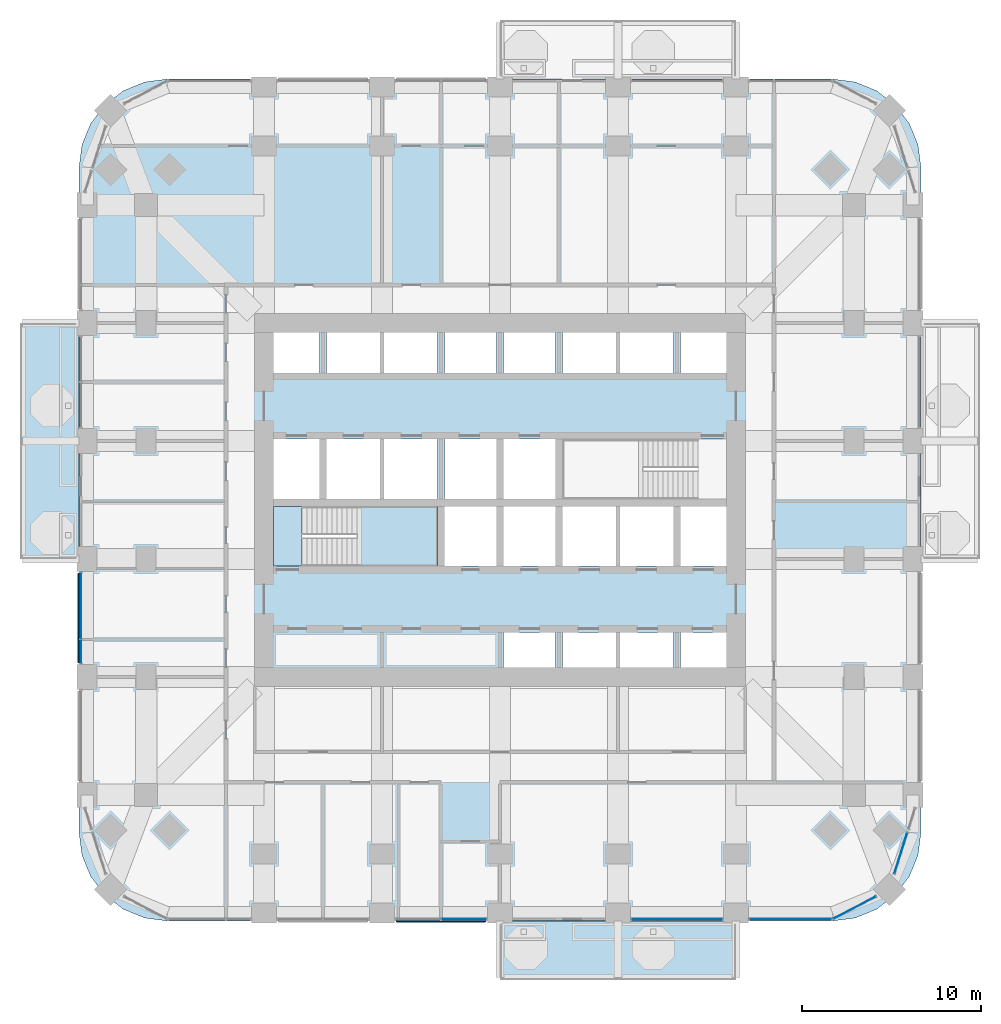
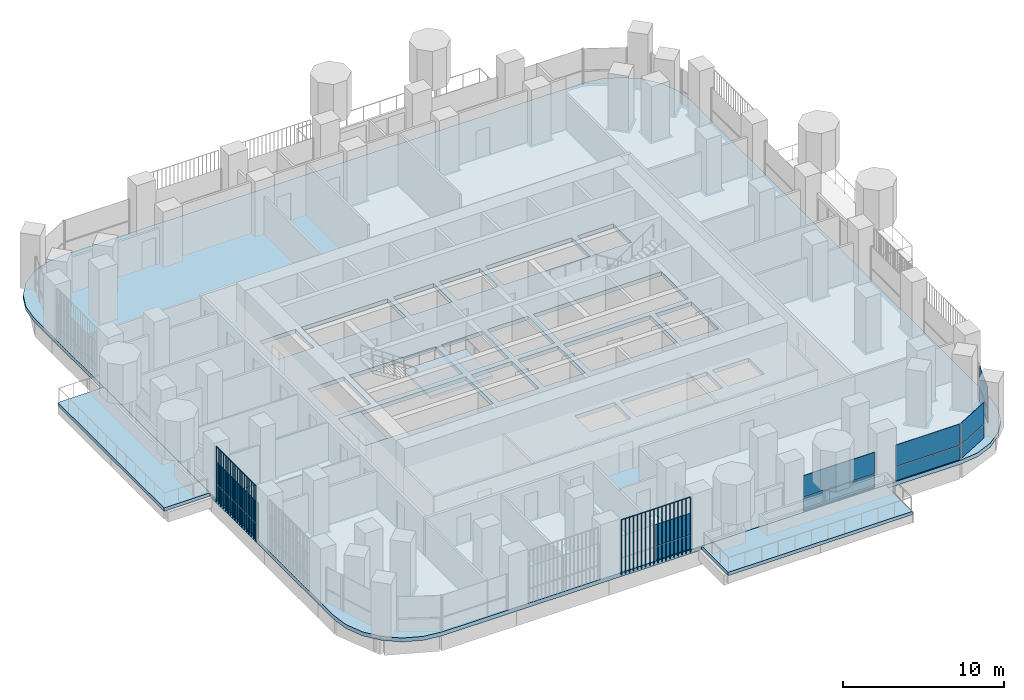
# One storey, part 10 of 22: 16 plates, 5 slabs, 7 elements without a shape of their own.
"""IFC4 building model written with IfcOpenShell, lengths in metres."""

from ifc_helpers import new_model, si_unit, direction, frame, origin, origin_2d, place, context, subcontext, project, spatial, polyline, rectangle, outline, extrude, material, layer, layer_set, type_object, element, aggregate, save


model = new_model("IFC4")

# Units and contexts
model_context = context("Model", 3, precision=1e-05, world=origin(), true_north=direction((0.0, 1.0)))
body_context = subcontext(model_context, "Body", "Model", "MODEL_VIEW")
ifc_project = project(units=[si_unit("LENGTHUNIT", "METRE"), si_unit("AREAUNIT", "SQUARE_METRE"), si_unit("VOLUMEUNIT", "CUBIC_METRE"), si_unit("PLANEANGLEUNIT", "RADIAN"), si_unit("MASSUNIT", "GRAM", prefix="KILO")], contexts=[model_context])

# Site, building, storey
site_placement = place(None, origin())
site = spatial("IfcSite", under=ifc_project, at=site_placement, CompositionType="ELEMENT")
building_placement = place(site_placement, origin())
building = spatial("IfcBuilding", under=site, at=building_placement, Name="Cobogo Forest Laboratory Tower", CompositionType="ELEMENT")
storey_placement = place(building_placement, frame((0.0, 0.0, 111.60009765625)))
storey = spatial("IfcBuildingStorey", under=building, at=storey_placement, Name="L25", CompositionType="ELEMENT", Elevation=111.60009765625)

# Slabs
ifc_material_1 = material(Name="Concrete HA-40 (C40/50)", Category="concrete")
ifc_layer_1 = layer(ifc_material_1, 0.25)
ifc_layer_set_1 = layer_set([ifc_layer_1], Name="Balcony slab 250")
slab_type_1 = type_object("IfcSlabType", Name="Balcony slab 250", PredefinedType="FLOOR", material=ifc_layer_set_1)
slab_1_placement = place(storey_placement, frame((0.0, 0.0, -0.25)))
element("IfcSlab", 1, at=slab_1_placement, inside=storey, type_object=slab_type_1, Name="Balcony BAL-S1 L25", PredefinedType="FLOOR", context=body_context, shape_type="SweptSolid", body=[
    extrude(outline(polyline([(26.39990234375, -3.75), (39.60009765625, -3.75), (39.60009765625, -0.449951171875), (26.39990234375, -0.449951171875), (26.39990234375, -3.75)])), origin(), (0.0, 0.0, 1.0), 0.25),
])
slab_2_placement = place(storey_placement, frame((0.0, 0.0, -0.25)))
element("IfcSlab", 2, at=slab_2_placement, inside=storey, type_object=slab_type_1, Name="Balcony BAL-W1 L25", PredefinedType="FLOOR", context=body_context, shape_type="SweptSolid", body=[
    extrude(outline(polyline([(-0.449951171875, 19.800048828125), (2.85009765625, 19.800048828125), (2.85009765625, 33.0), (-0.449951171875, 33.0), (-0.449951171875, 19.800048828125)])), origin(), (0.0, 0.0, 1.0), 0.25),
])
ifc_layer_2 = layer(ifc_material_1, 0.300048828125)
ifc_layer_set_2 = layer_set([ifc_layer_2], Name="Floor slab 300")
slab_type_2 = type_object("IfcSlabType", Name="Floor slab 300", PredefinedType="FLOOR", material=ifc_layer_set_2)
slab_3_placement = place(storey_placement, frame((0.0, 0.0, -0.300048828125)))
element("IfcSlab", 3, at=slab_3_placement, inside=storey, type_object=slab_type_2, Name="L25 floor slab", PredefinedType="FLOOR", context=body_context, shape_type="SweptSolid", body=[
    extrude(outline(polyline([(45.0, -0.449951171875), (46.28125, -0.28125), (47.47509765625, 0.213134765625), (48.500244140625, 0.999755859375), (49.286865234375, 2.02490234375), (49.78125, 3.21875), (49.949951171875, 4.5), (49.949951171875, 41.699951171875), (49.78125, 42.981201171875), (49.286865234375, 44.175048828125), (48.500244140625, 45.2001953125), (47.47509765625, 45.98681640625), (46.28125, 46.4814453125), (45.0, 46.64990234375), (7.800048828125, 46.64990234375), (6.518798828125, 46.4814453125), (5.324951171875, 45.98681640625), (4.2998046875, 45.2001953125), (3.51318359375, 44.175048828125), (3.0185546875, 42.981201171875), (2.85009765625, 41.699951171875), (2.85009765625, 4.5), (3.0185546875, 3.21875), (3.51318359375, 2.02490234375), (4.2998046875, 0.999755859375), (5.324951171875, 0.213134765625), (6.518798828125, -0.28125), (7.800048828125, -0.449951171875), (45.0, -0.449951171875)]), holes=[polyline([(29.5, 13.72509765625), (26.60009765625, 13.72509765625), (26.60009765625, 15.699951171875), (29.5, 15.699951171875), (29.5, 13.72509765625)]), polyline([(36.10009765625, 15.699951171875), (36.10009765625, 13.72509765625), (29.89990234375, 13.72509765625), (29.89990234375, 15.699951171875), (36.10009765625, 15.699951171875)]), polyline([(36.5, 13.72509765625), (36.5, 15.699951171875), (39.074951171875, 15.699951171875), (39.074951171875, 13.72509765625), (36.5, 13.72509765625)]), polyline([(13.72509765625, 19.39990234375), (13.72509765625, 22.75), (22.89990234375, 22.75), (22.89990234375, 19.39990234375), (13.72509765625, 19.39990234375)]), polyline([(23.300048828125, 19.39990234375), (23.300048828125, 22.75), (26.199951171875, 22.75), (26.199951171875, 19.39990234375), (23.300048828125, 19.39990234375)]), polyline([(29.5, 19.39990234375), (26.60009765625, 19.39990234375), (26.60009765625, 22.75), (29.5, 22.75), (29.5, 19.39990234375)]), polyline([(36.10009765625, 22.75), (36.10009765625, 19.39990234375), (29.89990234375, 19.39990234375), (29.89990234375, 22.75), (36.10009765625, 22.75)]), polyline([(39.074951171875, 19.39990234375), (36.5, 19.39990234375), (36.5, 22.75), (39.074951171875, 22.75), (39.074951171875, 19.39990234375)]), polyline([(16.300048828125, 23.14990234375), (13.72509765625, 23.14990234375), (13.72509765625, 26.5), (16.300048828125, 26.5), (16.300048828125, 23.14990234375)]), polyline([(22.89990234375, 26.5), (22.89990234375, 23.14990234375), (16.699951171875, 23.14990234375), (16.699951171875, 26.5), (22.89990234375, 26.5)]), polyline([(26.199951171875, 23.14990234375), (23.300048828125, 23.14990234375), (23.300048828125, 26.5), (26.199951171875, 26.5), (26.199951171875, 23.14990234375)]), polyline([(26.60009765625, 23.14990234375), (26.60009765625, 26.5), (29.5, 26.5), (29.5, 23.14990234375), (26.60009765625, 23.14990234375)]), polyline([(29.89990234375, 23.14990234375), (29.89990234375, 26.5), (39.074951171875, 26.5), (39.074951171875, 23.14990234375), (29.89990234375, 23.14990234375)]), polyline([(13.72509765625, 30.199951171875), (13.72509765625, 32.47509765625), (16.300048828125, 32.47509765625), (16.300048828125, 30.199951171875), (13.72509765625, 30.199951171875)]), polyline([(22.89990234375, 32.47509765625), (22.89990234375, 30.199951171875), (16.699951171875, 30.199951171875), (16.699951171875, 32.47509765625), (22.89990234375, 32.47509765625)]), polyline([(23.300048828125, 30.199951171875), (23.300048828125, 32.47509765625), (26.199951171875, 32.47509765625), (26.199951171875, 30.199951171875), (23.300048828125, 30.199951171875)]), polyline([(26.60009765625, 30.199951171875), (26.60009765625, 32.47509765625), (29.5, 32.47509765625), (29.5, 30.199951171875), (26.60009765625, 30.199951171875)]), polyline([(36.10009765625, 32.47509765625), (36.10009765625, 30.199951171875), (29.89990234375, 30.199951171875), (29.89990234375, 32.47509765625), (36.10009765625, 32.47509765625)]), polyline([(36.5, 30.199951171875), (36.5, 32.47509765625), (39.074951171875, 32.47509765625), (39.074951171875, 30.199951171875), (36.5, 30.199951171875)])]), origin(), (0.0, 0.0, 1.0), 0.300048828125),
])

# Curtain wall, plates
ifc_material_2 = material(Name="Aluminium curtain wall", Category="aluminium")
curtain_wall_type = type_object("IfcCurtainWallType", Name="CW-1 unitised curtain wall, clear glazing, laboratory floors zones A and B", PredefinedType="USERDEFINED", material=ifc_material_2)
curtain_wall_1_placement = place(storey_placement, origin())
curtain_wall_1 = element("IfcCurtainWall", 4, at=curtain_wall_1_placement, inside=storey, type_object=curtain_wall_type, Name="Curtain wall 03 L25", ObjectType="UNITISED CURTAIN WALL", PredefinedType="USERDEFINED")
ifc_material_3 = material(Name="Clear insulated glass", Category="glass")
ifc_layer_3 = layer(ifc_material_3, 0.028076171875)
ifc_layer_set_3 = layer_set([ifc_layer_3], Name="GP-1 clear insulated glass unit 28")
plate_type_1 = type_object("IfcPlateType", Name="GP-1 clear insulated glass unit 28", PredefinedType="CURTAIN_PANEL", material=ifc_layer_set_3)
plate_1_placement = place(storey_placement, frame((24.385009765625, -0.35009765625, 0.0), z_axis=(0.0, 0.0, 1.0), x_axis=(1.0, 0.0, 0.0)))
plate_1 = element("IfcPlate", 5, at=plate_1_placement, type_object=plate_type_1, Name="CW-1 panel 2.1", PredefinedType="CURTAIN_PANEL", context=body_context, shape_type="SweptSolid", body=[
    extrude(rectangle(XDim=2.510009765625, YDim=0.028076171875, at=origin_2d()), origin(), (0.0, 0.0, 1.0), 1.02001953125),
])
plate_2_placement = place(storey_placement, frame((24.385009765625, -0.35009765625, 1.079833984375), z_axis=(0.0, 0.0, 1.0), x_axis=(1.0, 0.0, 0.0)))
plate_2 = element("IfcPlate", 6, at=plate_2_placement, type_object=plate_type_1, Name="CW-1 panel 2.2", PredefinedType="CURTAIN_PANEL", context=body_context, shape_type="SweptSolid", body=[
    extrude(rectangle(XDim=2.510009765625, YDim=0.028076171875, at=origin_2d()), origin(), (0.0, 0.0, 1.0), 1.6201171875),
])
aggregate(curtain_wall_1, [plate_1, plate_2])

curtain_wall_2_placement = place(storey_placement, origin())
curtain_wall_2 = element("IfcCurtainWall", 7, at=curtain_wall_2_placement, inside=storey, type_object=curtain_wall_type, Name="Curtain wall 05 L25", ObjectType="UNITISED CURTAIN WALL", PredefinedType="USERDEFINED")
plate_3_placement = place(storey_placement, frame((36.300048828125, -0.35009765625, 0.0), z_axis=(0.0, 0.0, 1.0), x_axis=(1.0, 0.0, 0.0)))
plate_3 = element("IfcPlate", 8, at=plate_3_placement, type_object=plate_type_1, Name="CW-1 panel 1.1", PredefinedType="CURTAIN_PANEL", context=body_context, shape_type="SweptSolid", body=[
    extrude(rectangle(XDim=5.080078125, YDim=0.028076171875, at=origin_2d()), origin(), (0.0, 0.0, 1.0), 1.02001953125),
])
plate_4_placement = place(storey_placement, frame((36.300048828125, -0.35009765625, 1.079833984375), z_axis=(0.0, 0.0, 1.0), x_axis=(1.0, 0.0, 0.0)))
plate_4 = element("IfcPlate", 9, at=plate_4_placement, type_object=plate_type_1, Name="CW-1 panel 1.2", PredefinedType="CURTAIN_PANEL", context=body_context, shape_type="SweptSolid", body=[
    extrude(rectangle(XDim=5.080078125, YDim=0.028076171875, at=origin_2d()), origin(), (0.0, 0.0, 1.0), 1.6201171875),
])
aggregate(curtain_wall_2, [plate_3, plate_4])

curtain_wall_3_placement = place(storey_placement, origin())
curtain_wall_3 = element("IfcCurtainWall", 10, at=curtain_wall_3_placement, inside=storey, type_object=curtain_wall_type, Name="Curtain wall 06 L25", ObjectType="UNITISED CURTAIN WALL", PredefinedType="USERDEFINED")
plate_5_placement = place(storey_placement, frame((42.64990234375, -0.35009765625, 0.0), z_axis=(0.0, 0.0, 1.0), x_axis=(1.0, 0.0, 0.0)))
plate_5 = element("IfcPlate", 11, at=plate_5_placement, type_object=plate_type_1, Name="CW-1 panel 1.1", PredefinedType="CURTAIN_PANEL", context=body_context, shape_type="SweptSolid", body=[
    extrude(rectangle(XDim=4.580078125, YDim=0.028076171875, at=origin_2d()), origin(), (0.0, 0.0, 1.0), 1.02001953125),
])
plate_6_placement = place(storey_placement, frame((42.64990234375, -0.35009765625, 1.079833984375), z_axis=(0.0, 0.0, 1.0), x_axis=(1.0, 0.0, 0.0)))
plate_6 = element("IfcPlate", 12, at=plate_6_placement, type_object=plate_type_1, Name="CW-1 panel 1.2", PredefinedType="CURTAIN_PANEL", context=body_context, shape_type="SweptSolid", body=[
    extrude(rectangle(XDim=4.580078125, YDim=0.028076171875, at=origin_2d()), origin(), (0.0, 0.0, 1.0), 1.6201171875),
])
aggregate(curtain_wall_3, [plate_5, plate_6])

curtain_wall_4_placement = place(storey_placement, origin())
curtain_wall_4 = element("IfcCurtainWall", 13, at=curtain_wall_4_placement, inside=storey, type_object=curtain_wall_type, Name="Curtain wall 07 L25", ObjectType="UNITISED CURTAIN WALL", PredefinedType="USERDEFINED")
plate_7_placement = place(storey_placement, frame((46.229248046875, 0.29443359375, 0.0), z_axis=(0.0, 0.0, 1.0), x_axis=(0.885686547075, 0.464283685186, 0.0)))
plate_7 = element("IfcPlate", 14, at=plate_7_placement, type_object=plate_type_1, Name="CW-1 panel 1.1", PredefinedType="CURTAIN_PANEL", context=body_context, shape_type="SweptSolid", body=[
    extrude(rectangle(XDim=2.655517578125, YDim=0.028076171875, at=origin_2d()), origin(), (0.0, 0.0, 1.0), 1.02001953125),
])
plate_8_placement = place(storey_placement, frame((46.229248046875, 0.29443359375, 1.079833984375), z_axis=(0.0, 0.0, 1.0), x_axis=(0.885686547075, 0.464283685186, 0.0)))
plate_8 = element("IfcPlate", 15, at=plate_8_placement, type_object=plate_type_1, Name="CW-1 panel 1.2", PredefinedType="CURTAIN_PANEL", context=body_context, shape_type="SweptSolid", body=[
    extrude(rectangle(XDim=2.655517578125, YDim=0.028076171875, at=origin_2d()), origin(), (0.0, 0.0, 1.0), 1.6201171875),
])
aggregate(curtain_wall_4, [plate_7, plate_8])

curtain_wall_5_placement = place(storey_placement, origin())
curtain_wall_5 = element("IfcCurtainWall", 16, at=curtain_wall_5_placement, inside=storey, type_object=curtain_wall_type, Name="Curtain wall 08 L25", ObjectType="UNITISED CURTAIN WALL", PredefinedType="USERDEFINED")
plate_9_placement = place(storey_placement, frame((48.8212890625, 3.342529296875, 0.0), z_axis=(0.0, 0.0, 1.0), x_axis=(0.301135291996, 0.953581425949, 0.0)))
plate_9 = element("IfcPlate", 17, at=plate_9_placement, type_object=plate_type_1, Name="CW-1 panel 1.1", PredefinedType="CURTAIN_PANEL", context=body_context, shape_type="SweptSolid", body=[
    extrude(rectangle(XDim=2.3681640625, YDim=0.028076171875, at=origin_2d()), origin(), (0.0, 0.0, 1.0), 1.02001953125),
])
plate_10_placement = place(storey_placement, frame((48.8212890625, 3.342529296875, 1.079833984375), z_axis=(0.0, 0.0, 1.0), x_axis=(0.301135291996, 0.953581425949, 0.0)))
plate_10 = element("IfcPlate", 18, at=plate_10_placement, type_object=plate_type_1, Name="CW-1 panel 1.2", PredefinedType="CURTAIN_PANEL", context=body_context, shape_type="SweptSolid", body=[
    extrude(rectangle(XDim=2.3681640625, YDim=0.028076171875, at=origin_2d()), origin(), (0.0, 0.0, 1.0), 1.6201171875),
])
aggregate(curtain_wall_5, [plate_9, plate_10])

curtain_wall_6_placement = place(storey_placement, origin())
curtain_wall_6 = element("IfcCurtainWall", 19, at=curtain_wall_6_placement, inside=storey, type_object=curtain_wall_type, Name="Curtain wall 30 L25", ObjectType="UNITISED CURTAIN WALL", PredefinedType="USERDEFINED")
plate_11_placement = place(storey_placement, frame((2.949951171875, 17.18505859375, 0.0), z_axis=(0.0, 0.0, 1.0), x_axis=(0.0, -1.0, 0.0)))
plate_11 = element("IfcPlate", 20, at=plate_11_placement, type_object=plate_type_1, Name="CW-1 panel 1.1", PredefinedType="CURTAIN_PANEL", context=body_context, shape_type="SweptSolid", body=[
    extrude(rectangle(XDim=3.7099609375, YDim=0.028076171875, at=origin_2d()), origin(), (0.0, 0.0, 1.0), 1.02001953125),
])
plate_12_placement = place(storey_placement, frame((2.949951171875, 17.18505859375, 1.079833984375), z_axis=(0.0, 0.0, 1.0), x_axis=(0.0, -1.0, 0.0)))
plate_12 = element("IfcPlate", 21, at=plate_12_placement, type_object=plate_type_1, Name="CW-1 panel 1.2", PredefinedType="CURTAIN_PANEL", context=body_context, shape_type="SweptSolid", body=[
    extrude(rectangle(XDim=3.7099609375, YDim=0.028076171875, at=origin_2d()), origin(), (0.0, 0.0, 1.0), 1.6201171875),
])
plate_13_placement = place(storey_placement, frame((2.949951171875, 14.614990234375, 0.0), z_axis=(0.0, 0.0, 1.0), x_axis=(0.0, -1.0, 0.0)))
plate_13 = element("IfcPlate", 22, at=plate_13_placement, type_object=plate_type_1, Name="CW-1 panel 2.1", PredefinedType="CURTAIN_PANEL", context=body_context, shape_type="SweptSolid", body=[
    extrude(rectangle(XDim=1.31005859375, YDim=0.028076171875, at=origin_2d()), origin(), (0.0, 0.0, 1.0), 1.02001953125),
])
plate_14_placement = place(storey_placement, frame((2.949951171875, 14.614990234375, 1.079833984375), z_axis=(0.0, 0.0, 1.0), x_axis=(0.0, -1.0, 0.0)))
plate_14 = element("IfcPlate", 23, at=plate_14_placement, type_object=plate_type_1, Name="CW-1 panel 2.2", PredefinedType="CURTAIN_PANEL", context=body_context, shape_type="SweptSolid", body=[
    extrude(rectangle(XDim=1.31005859375, YDim=0.028076171875, at=origin_2d()), origin(), (0.0, 0.0, 1.0), 1.6201171875),
])
aggregate(curtain_wall_6, [plate_11, plate_12, plate_13, plate_14])

# Stair, slabs
ifc_material_4 = material(Name="Precast concrete HA-40 (C40/50)", Category="concrete")
stair_type = type_object("IfcStairType", Name="ST24 exit stair 24 risers", PredefinedType="HALF_TURN_STAIR", material=ifc_material_4)
stair_placement = place(storey_placement, origin())
stair = element("IfcStair", 24, at=stair_placement, inside=storey, type_object=stair_type, Name="Stair 1 L25 to L26", PredefinedType="HALF_TURN_STAIR")
ifc_layer_4 = layer(ifc_material_1, 0.199951171875)
ifc_layer_set_4 = layer_set([ifc_layer_4], Name="SL stair landing 200")
slab_type_3 = type_object("IfcSlabType", Name="SL stair landing 200", PredefinedType="LANDING", material=ifc_layer_set_4)
slab_4_placement = place(storey_placement, frame((0.0, 0.0, -0.2001953125)))
slab_4 = element("IfcSlab", 25, at=slab_4_placement, type_object=slab_type_3, Name="ST1 landing 1", PredefinedType="LANDING", context=body_context, shape_type="SweptSolid", body=[
    extrude(outline(polyline([(13.72509765625, 19.39990234375), (15.326904296875, 19.39990234375), (15.326904296875, 22.75), (13.72509765625, 22.75), (13.72509765625, 19.39990234375)])), origin(), (0.0, 0.0, 1.0), 0.2001953125),
])
slab_5_placement = place(storey_placement, frame((0.0, 0.0, 1.89990234375)))
slab_5 = element("IfcSlab", 26, at=slab_5_placement, type_object=slab_type_3, Name="ST1 landing 2", PredefinedType="LANDING", context=body_context, shape_type="SweptSolid", body=[
    extrude(outline(polyline([(18.403076171875, 19.39990234375), (22.89990234375, 19.39990234375), (22.89990234375, 22.75), (18.403076171875, 22.75), (18.403076171875, 19.39990234375)])), origin(), (0.0, 0.0, 1.0), 0.199951171875),
])
aggregate(stair, [slab_4, slab_5])

# Plates
ifc_material_5 = material(Name="Terracotta", Category="masonry")
plate_type_2 = type_object("IfcPlateType", Name="TB1 terracotta baguette screen", PredefinedType="USERDEFINED", material=ifc_material_5)
plate_15_placement = place(storey_placement, frame((20.63134765625, -0.477783203125, -0.150146484375)))
element("IfcPlate", 27, at=plate_15_placement, inside=storey, type_object=plate_type_2, Name="Baguette screen S2 L25", ObjectType="BAGUETTE SCREEN", PredefinedType="USERDEFINED", context=body_context, shape_type="SweptSolid", body=[
    extrude(outline(polyline([(0.02880859375, 0.011962890625), (0.011962890625, 0.02880859375), (-0.011962890625, 0.02880859375), (-0.02880859375, 0.011962890625), (-0.02880859375, -0.011962890625), (-0.011962890625, -0.02880859375), (0.011962890625, -0.02880859375), (0.02880859375, -0.011962890625), (0.02880859375, 0.011962890625)])), frame((0.0, 0.0, 4.168701171875), z_axis=(1.0, 0.0, 0.0), x_axis=(0.0, 1.0, 0.0)), (0.0, 0.0, 1.0), 4.9375),
    extrude(outline(polyline([(0.02880859375, 0.011962890625), (0.011962890625, 0.02880859375), (-0.011962890625, 0.02880859375), (-0.02880859375, 0.011962890625), (-0.02880859375, -0.011962890625), (-0.011962890625, -0.02880859375), (0.011962890625, -0.02880859375), (0.02880859375, -0.011962890625), (0.02880859375, 0.011962890625)])), origin(), (0.0, 0.0, 1.0), 4.137451171875),
    extrude(outline(polyline([(0.02880859375, 0.011962890625), (0.011962890625, 0.02880859375), (-0.011962890625, 0.02880859375), (-0.02880859375, 0.011962890625), (-0.02880859375, -0.011962890625), (-0.011962890625, -0.02880859375), (0.011962890625, -0.02880859375), (0.02880859375, -0.011962890625), (0.02880859375, 0.011962890625)])), frame((0.29052734375, 0.0, 0.0)), (0.0, 0.0, 1.0), 4.137451171875),
    extrude(outline(polyline([(0.02880859375, 0.011962890625), (0.011962890625, 0.02880859375), (-0.011962890625, 0.02880859375), (-0.02880859375, 0.011962890625), (-0.02880859375, -0.011962890625), (-0.011962890625, -0.02880859375), (0.011962890625, -0.02880859375), (0.02880859375, -0.011962890625), (0.02880859375, 0.011962890625)])), frame((0.580810546875, 0.0, 0.0)), (0.0, 0.0, 1.0), 4.137451171875),
    extrude(outline(polyline([(0.02880859375, 0.011962890625), (0.011962890625, 0.02880859375), (-0.011962890625, 0.02880859375), (-0.02880859375, 0.011962890625), (-0.02880859375, -0.011962890625), (-0.011962890625, -0.02880859375), (0.011962890625, -0.02880859375), (0.02880859375, -0.011962890625), (0.02880859375, 0.011962890625)])), frame((0.871337890625, 0.0, 0.0)), (0.0, 0.0, 1.0), 4.137451171875),
    extrude(outline(polyline([(0.02880859375, 0.011962890625), (0.011962890625, 0.02880859375), (-0.011962890625, 0.02880859375), (-0.02880859375, 0.011962890625), (-0.02880859375, -0.011962890625), (-0.011962890625, -0.02880859375), (0.011962890625, -0.02880859375), (0.02880859375, -0.011962890625), (0.02880859375, 0.011962890625)])), frame((1.161865234375, 0.0, 0.0)), (0.0, 0.0, 1.0), 4.137451171875),
    extrude(outline(polyline([(0.02880859375, 0.011962890625), (0.011962890625, 0.02880859375), (-0.011962890625, 0.02880859375), (-0.02880859375, 0.011962890625), (-0.02880859375, -0.011962890625), (-0.011962890625, -0.02880859375), (0.011962890625, -0.02880859375), (0.02880859375, -0.011962890625), (0.02880859375, 0.011962890625)])), frame((1.4521484375, 0.0, 0.0)), (0.0, 0.0, 1.0), 4.137451171875),
    extrude(outline(polyline([(0.02880859375, 0.011962890625), (0.011962890625, 0.02880859375), (-0.011962890625, 0.02880859375), (-0.02880859375, 0.011962890625), (-0.02880859375, -0.011962890625), (-0.011962890625, -0.02880859375), (0.011962890625, -0.02880859375), (0.02880859375, -0.011962890625), (0.02880859375, 0.011962890625)])), frame((1.74267578125, 0.0, 0.0)), (0.0, 0.0, 1.0), 4.137451171875),
    extrude(outline(polyline([(0.02880859375, 0.011962890625), (0.011962890625, 0.02880859375), (-0.011962890625, 0.02880859375), (-0.02880859375, 0.011962890625), (-0.02880859375, -0.011962890625), (-0.011962890625, -0.02880859375), (0.011962890625, -0.02880859375), (0.02880859375, -0.011962890625), (0.02880859375, 0.011962890625)])), frame((2.033203125, 0.0, 0.0)), (0.0, 0.0, 1.0), 4.137451171875),
    extrude(outline(polyline([(0.02880859375, 0.011962890625), (0.011962890625, 0.02880859375), (-0.011962890625, 0.02880859375), (-0.02880859375, 0.011962890625), (-0.02880859375, -0.011962890625), (-0.011962890625, -0.02880859375), (0.011962890625, -0.02880859375), (0.02880859375, -0.011962890625), (0.02880859375, 0.011962890625)])), frame((2.323486328125, 0.0, 0.0)), (0.0, 0.0, 1.0), 4.137451171875),
    extrude(outline(polyline([(0.02880859375, 0.011962890625), (0.011962890625, 0.02880859375), (-0.011962890625, 0.02880859375), (-0.02880859375, 0.011962890625), (-0.02880859375, -0.011962890625), (-0.011962890625, -0.02880859375), (0.011962890625, -0.02880859375), (0.02880859375, -0.011962890625), (0.02880859375, 0.011962890625)])), frame((2.614013671875, 0.0, 0.0)), (0.0, 0.0, 1.0), 4.137451171875),
    extrude(outline(polyline([(0.02880859375, 0.011962890625), (0.011962890625, 0.02880859375), (-0.011962890625, 0.02880859375), (-0.02880859375, 0.011962890625), (-0.02880859375, -0.011962890625), (-0.011962890625, -0.02880859375), (0.011962890625, -0.02880859375), (0.02880859375, -0.011962890625), (0.02880859375, 0.011962890625)])), frame((2.904296875, 0.0, 0.0)), (0.0, 0.0, 1.0), 4.137451171875),
    extrude(outline(polyline([(0.02880859375, 0.011962890625), (0.011962890625, 0.02880859375), (-0.011962890625, 0.02880859375), (-0.02880859375, 0.011962890625), (-0.02880859375, -0.011962890625), (-0.011962890625, -0.02880859375), (0.011962890625, -0.02880859375), (0.02880859375, -0.011962890625), (0.02880859375, 0.011962890625)])), frame((3.19482421875, 0.0, 0.0)), (0.0, 0.0, 1.0), 4.137451171875),
    extrude(outline(polyline([(0.02880859375, 0.011962890625), (0.011962890625, 0.02880859375), (-0.011962890625, 0.02880859375), (-0.02880859375, 0.011962890625), (-0.02880859375, -0.011962890625), (-0.011962890625, -0.02880859375), (0.011962890625, -0.02880859375), (0.02880859375, -0.011962890625), (0.02880859375, 0.011962890625)])), frame((3.4853515625, 0.0, 0.0)), (0.0, 0.0, 1.0), 4.137451171875),
    extrude(outline(polyline([(0.02880859375, 0.011962890625), (0.011962890625, 0.02880859375), (-0.011962890625, 0.02880859375), (-0.02880859375, 0.011962890625), (-0.02880859375, -0.011962890625), (-0.011962890625, -0.02880859375), (0.011962890625, -0.02880859375), (0.02880859375, -0.011962890625), (0.02880859375, 0.011962890625)])), frame((3.775634765625, 0.0, 0.0)), (0.0, 0.0, 1.0), 4.137451171875),
    extrude(outline(polyline([(0.02880859375, 0.011962890625), (0.011962890625, 0.02880859375), (-0.011962890625, 0.02880859375), (-0.02880859375, 0.011962890625), (-0.02880859375, -0.011962890625), (-0.011962890625, -0.02880859375), (0.011962890625, -0.02880859375), (0.02880859375, -0.011962890625), (0.02880859375, 0.011962890625)])), frame((4.066162109375, 0.0, 0.0)), (0.0, 0.0, 1.0), 4.137451171875),
    extrude(outline(polyline([(0.02880859375, 0.011962890625), (0.011962890625, 0.02880859375), (-0.011962890625, 0.02880859375), (-0.02880859375, 0.011962890625), (-0.02880859375, -0.011962890625), (-0.011962890625, -0.02880859375), (0.011962890625, -0.02880859375), (0.02880859375, -0.011962890625), (0.02880859375, 0.011962890625)])), frame((4.356689453125, 0.0, 0.0)), (0.0, 0.0, 1.0), 4.137451171875),
    extrude(outline(polyline([(0.02880859375, 0.011962890625), (0.011962890625, 0.02880859375), (-0.011962890625, 0.02880859375), (-0.02880859375, 0.011962890625), (-0.02880859375, -0.011962890625), (-0.011962890625, -0.02880859375), (0.011962890625, -0.02880859375), (0.02880859375, -0.011962890625), (0.02880859375, 0.011962890625)])), frame((4.64697265625, 0.0, 0.0)), (0.0, 0.0, 1.0), 4.137451171875),
    extrude(outline(polyline([(0.02880859375, 0.011962890625), (0.011962890625, 0.02880859375), (-0.011962890625, 0.02880859375), (-0.02880859375, 0.011962890625), (-0.02880859375, -0.011962890625), (-0.011962890625, -0.02880859375), (0.011962890625, -0.02880859375), (0.02880859375, -0.011962890625), (0.02880859375, 0.011962890625)])), frame((4.9375, 0.0, 0.0)), (0.0, 0.0, 1.0), 4.137451171875),
])
plate_16_placement = place(storey_placement, frame((2.822021484375, 14.03125, -0.150146484375)))
element("IfcPlate", 28, at=plate_16_placement, inside=storey, type_object=plate_type_2, Name="Baguette screen W2 L25", ObjectType="BAGUETTE SCREEN", PredefinedType="USERDEFINED", context=body_context, shape_type="SweptSolid", body=[
    extrude(outline(polyline([(0.02880859375, 0.011962890625), (0.011962890625, 0.02880859375), (-0.011962890625, 0.02880859375), (-0.02880859375, 0.011962890625), (-0.02880859375, -0.011962890625), (-0.011962890625, -0.02880859375), (0.011962890625, -0.02880859375), (0.02880859375, -0.011962890625), (0.02880859375, 0.011962890625)])), frame((0.0, 0.0, 4.168701171875), z_axis=(0.0, 1.0, 0.0), x_axis=(-1.0, 0.0, 0.0)), (0.0, 0.0, 1.0), 4.9375),
    extrude(outline(polyline([(0.02880859375, 0.011962890625), (0.011962890625, 0.02880859375), (-0.011962890625, 0.02880859375), (-0.02880859375, 0.011962890625), (-0.02880859375, -0.011962890625), (-0.011962890625, -0.02880859375), (0.011962890625, -0.02880859375), (0.02880859375, -0.011962890625), (0.02880859375, 0.011962890625)])), origin(), (0.0, 0.0, 1.0), 4.137451171875),
    extrude(outline(polyline([(0.02880859375, 0.011962890625), (0.011962890625, 0.02880859375), (-0.011962890625, 0.02880859375), (-0.02880859375, 0.011962890625), (-0.02880859375, -0.011962890625), (-0.011962890625, -0.02880859375), (0.011962890625, -0.02880859375), (0.02880859375, -0.011962890625), (0.02880859375, 0.011962890625)])), frame((0.0, 0.29052734375, 0.0)), (0.0, 0.0, 1.0), 4.137451171875),
    extrude(outline(polyline([(0.02880859375, 0.011962890625), (0.011962890625, 0.02880859375), (-0.011962890625, 0.02880859375), (-0.02880859375, 0.011962890625), (-0.02880859375, -0.011962890625), (-0.011962890625, -0.02880859375), (0.011962890625, -0.02880859375), (0.02880859375, -0.011962890625), (0.02880859375, 0.011962890625)])), frame((0.0, 0.580810546875, 0.0)), (0.0, 0.0, 1.0), 4.137451171875),
    extrude(outline(polyline([(0.02880859375, 0.011962890625), (0.011962890625, 0.02880859375), (-0.011962890625, 0.02880859375), (-0.02880859375, 0.011962890625), (-0.02880859375, -0.011962890625), (-0.011962890625, -0.02880859375), (0.011962890625, -0.02880859375), (0.02880859375, -0.011962890625), (0.02880859375, 0.011962890625)])), frame((0.0, 0.871337890625, 0.0)), (0.0, 0.0, 1.0), 4.137451171875),
    extrude(outline(polyline([(0.02880859375, 0.011962890625), (0.011962890625, 0.02880859375), (-0.011962890625, 0.02880859375), (-0.02880859375, 0.011962890625), (-0.02880859375, -0.011962890625), (-0.011962890625, -0.02880859375), (0.011962890625, -0.02880859375), (0.02880859375, -0.011962890625), (0.02880859375, 0.011962890625)])), frame((0.0, 1.161865234375, 0.0)), (0.0, 0.0, 1.0), 4.137451171875),
    extrude(outline(polyline([(0.02880859375, 0.011962890625), (0.011962890625, 0.02880859375), (-0.011962890625, 0.02880859375), (-0.02880859375, 0.011962890625), (-0.02880859375, -0.011962890625), (-0.011962890625, -0.02880859375), (0.011962890625, -0.02880859375), (0.02880859375, -0.011962890625), (0.02880859375, 0.011962890625)])), frame((0.0, 1.4521484375, 0.0)), (0.0, 0.0, 1.0), 4.137451171875),
    extrude(outline(polyline([(0.02880859375, 0.011962890625), (0.011962890625, 0.02880859375), (-0.011962890625, 0.02880859375), (-0.02880859375, 0.011962890625), (-0.02880859375, -0.011962890625), (-0.011962890625, -0.02880859375), (0.011962890625, -0.02880859375), (0.02880859375, -0.011962890625), (0.02880859375, 0.011962890625)])), frame((0.0, 1.74267578125, 0.0)), (0.0, 0.0, 1.0), 4.137451171875),
    extrude(outline(polyline([(0.02880859375, 0.011962890625), (0.011962890625, 0.02880859375), (-0.011962890625, 0.02880859375), (-0.02880859375, 0.011962890625), (-0.02880859375, -0.011962890625), (-0.011962890625, -0.02880859375), (0.011962890625, -0.02880859375), (0.02880859375, -0.011962890625), (0.02880859375, 0.011962890625)])), frame((0.0, 2.033203125, 0.0)), (0.0, 0.0, 1.0), 4.137451171875),
    extrude(outline(polyline([(0.02880859375, 0.011962890625), (0.011962890625, 0.02880859375), (-0.011962890625, 0.02880859375), (-0.02880859375, 0.011962890625), (-0.02880859375, -0.011962890625), (-0.011962890625, -0.02880859375), (0.011962890625, -0.02880859375), (0.02880859375, -0.011962890625), (0.02880859375, 0.011962890625)])), frame((0.0, 2.323486328125, 0.0)), (0.0, 0.0, 1.0), 4.137451171875),
    extrude(outline(polyline([(0.02880859375, 0.011962890625), (0.011962890625, 0.02880859375), (-0.011962890625, 0.02880859375), (-0.02880859375, 0.011962890625), (-0.02880859375, -0.011962890625), (-0.011962890625, -0.02880859375), (0.011962890625, -0.02880859375), (0.02880859375, -0.011962890625), (0.02880859375, 0.011962890625)])), frame((0.0, 2.614013671875, 0.0)), (0.0, 0.0, 1.0), 4.137451171875),
    extrude(outline(polyline([(0.02880859375, 0.011962890625), (0.011962890625, 0.02880859375), (-0.011962890625, 0.02880859375), (-0.02880859375, 0.011962890625), (-0.02880859375, -0.011962890625), (-0.011962890625, -0.02880859375), (0.011962890625, -0.02880859375), (0.02880859375, -0.011962890625), (0.02880859375, 0.011962890625)])), frame((0.0, 2.904296875, 0.0)), (0.0, 0.0, 1.0), 4.137451171875),
    extrude(outline(polyline([(0.02880859375, 0.011962890625), (0.011962890625, 0.02880859375), (-0.011962890625, 0.02880859375), (-0.02880859375, 0.011962890625), (-0.02880859375, -0.011962890625), (-0.011962890625, -0.02880859375), (0.011962890625, -0.02880859375), (0.02880859375, -0.011962890625), (0.02880859375, 0.011962890625)])), frame((0.0, 3.19482421875, 0.0)), (0.0, 0.0, 1.0), 4.137451171875),
    extrude(outline(polyline([(0.02880859375, 0.011962890625), (0.011962890625, 0.02880859375), (-0.011962890625, 0.02880859375), (-0.02880859375, 0.011962890625), (-0.02880859375, -0.011962890625), (-0.011962890625, -0.02880859375), (0.011962890625, -0.02880859375), (0.02880859375, -0.011962890625), (0.02880859375, 0.011962890625)])), frame((0.0, 3.4853515625, 0.0)), (0.0, 0.0, 1.0), 4.137451171875),
    extrude(outline(polyline([(0.02880859375, 0.011962890625), (0.011962890625, 0.02880859375), (-0.011962890625, 0.02880859375), (-0.02880859375, 0.011962890625), (-0.02880859375, -0.011962890625), (-0.011962890625, -0.02880859375), (0.011962890625, -0.02880859375), (0.02880859375, -0.011962890625), (0.02880859375, 0.011962890625)])), frame((0.0, 3.775634765625, 0.0)), (0.0, 0.0, 1.0), 4.137451171875),
    extrude(outline(polyline([(0.02880859375, 0.011962890625), (0.011962890625, 0.02880859375), (-0.011962890625, 0.02880859375), (-0.02880859375, 0.011962890625), (-0.02880859375, -0.011962890625), (-0.011962890625, -0.02880859375), (0.011962890625, -0.02880859375), (0.02880859375, -0.011962890625), (0.02880859375, 0.011962890625)])), frame((0.0, 4.066162109375, 0.0)), (0.0, 0.0, 1.0), 4.137451171875),
    extrude(outline(polyline([(0.02880859375, 0.011962890625), (0.011962890625, 0.02880859375), (-0.011962890625, 0.02880859375), (-0.02880859375, 0.011962890625), (-0.02880859375, -0.011962890625), (-0.011962890625, -0.02880859375), (0.011962890625, -0.02880859375), (0.02880859375, -0.011962890625), (0.02880859375, 0.011962890625)])), frame((0.0, 4.356689453125, 0.0)), (0.0, 0.0, 1.0), 4.137451171875),
    extrude(outline(polyline([(0.02880859375, 0.011962890625), (0.011962890625, 0.02880859375), (-0.011962890625, 0.02880859375), (-0.02880859375, 0.011962890625), (-0.02880859375, -0.011962890625), (-0.011962890625, -0.02880859375), (0.011962890625, -0.02880859375), (0.02880859375, -0.011962890625), (0.02880859375, 0.011962890625)])), frame((0.0, 4.64697265625, 0.0)), (0.0, 0.0, 1.0), 4.137451171875),
    extrude(outline(polyline([(0.02880859375, 0.011962890625), (0.011962890625, 0.02880859375), (-0.011962890625, 0.02880859375), (-0.02880859375, 0.011962890625), (-0.02880859375, -0.011962890625), (-0.011962890625, -0.02880859375), (0.011962890625, -0.02880859375), (0.02880859375, -0.011962890625), (0.02880859375, 0.011962890625)])), frame((0.0, 4.9375, 0.0)), (0.0, 0.0, 1.0), 4.137451171875),
])

save(model, "model.ifc")
